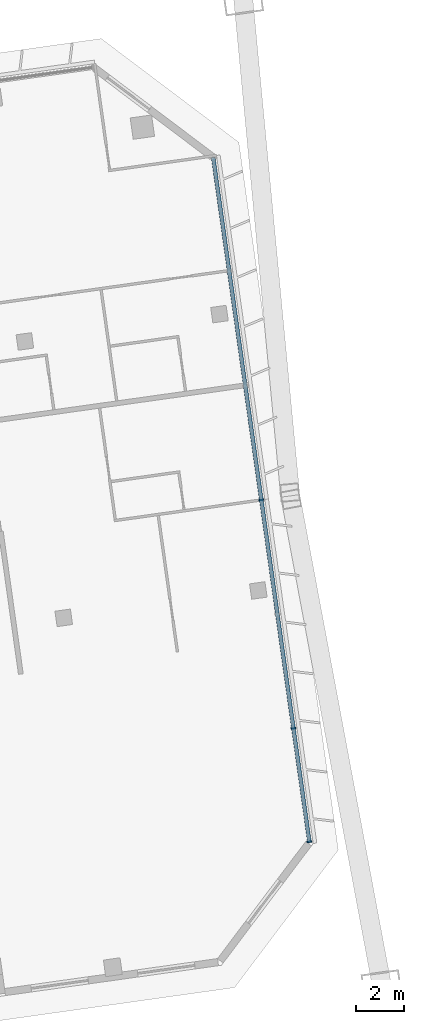
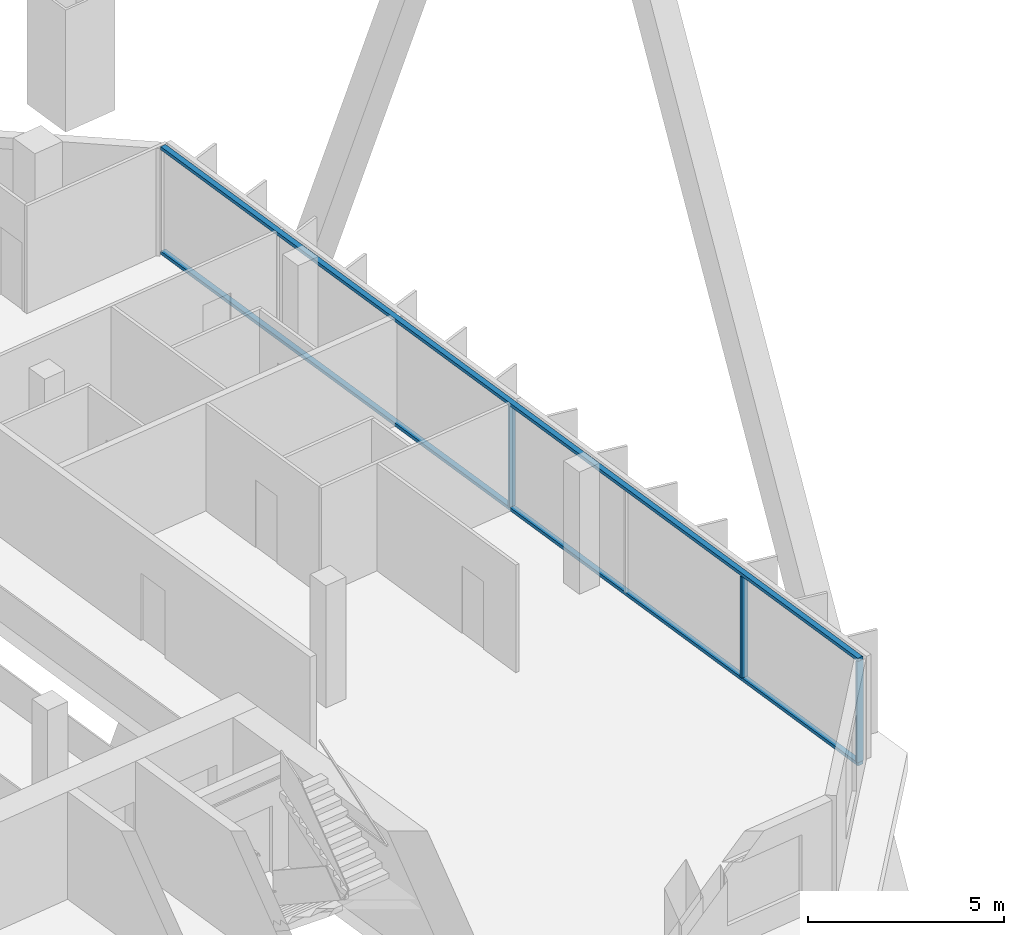
# One storey, part 14 of 33: 5 members, 1 element without a shape of its own.
"""IFC4 building model written with IfcOpenShell, lengths in metres."""

import ifcopenshell
import ifcopenshell.guid

model = None  # the IFC model being written
_history = None  # IfcOwnerHistory: only IFC2X3 demands one
_inside = {}  # id of a spatial element -> (the spatial element, [elements in it])
_under = {}  # id of a project, library or spatial element -> (it, [spatial elements below it])
_declared = {}  # id of a project -> (the project, [libraries it declares])
_typed = {}  # id of a type object -> (the type object, [elements of that type])
_made_of = {}  # id of a material, layer set ... -> (it, [elements and type objects made of it])


def new_model(schema):
    """Start an empty IFC model of exactly this schema.

    Asked for "IFC4X3", IfcOpenShell would pick the latest addendum, in which some entities
    have other attributes; the version numbers below select the first issue.
    IFC2X3 requires an IfcOwnerHistory on every rooted entity: one is made here for all.
    """
    global model, _history
    if schema == "IFC4X3":
        model = ifcopenshell.file(schema_version=(4, 3, 0, 0))
    else:
        model = ifcopenshell.file(schema=schema)
    _inside.clear()
    _under.clear()
    _declared.clear()
    _typed.clear()
    _made_of.clear()
    _history = None
    if model.schema == "IFC2X3":
        org = make("IfcOrganization", Name="unknown")
        user = make(
            "IfcPersonAndOrganization",
            ThePerson=make("IfcPerson", FamilyName="unknown"),
            TheOrganization=org,
        )
        app = make(
            "IfcApplication",
            ApplicationDeveloper=org,
            Version="unknown",
            ApplicationFullName="unknown",
            ApplicationIdentifier="unknown",
        )
        _history = make(
            "IfcOwnerHistory",
            OwningUser=user,
            OwningApplication=app,
            ChangeAction="ADDED",
            CreationDate=0,
        )
    return model


def make(cls, **values):
    """One entity of the class cls with the attributes given. An attribute that is None is left unset."""
    return model.create_entity(
        cls, **{name: value for name, value in values.items() if value is not None}
    )


def rooted(cls, **values):
    """An entity with a GlobalId (a new one), such as an element, a storey or a relation."""
    return make(cls, GlobalId=ifcopenshell.guid.new(), OwnerHistory=_history, **values)


def si_unit(unit_type, name, prefix=None):
    """IfcSIUnit, for example si_unit("LENGTHUNIT", "METRE", prefix="MILLI")."""
    return make("IfcSIUnit", UnitType=unit_type, Prefix=prefix, Name=name)


def assignment(units):
    """IfcUnitAssignment: the units of a project."""
    return None if units is None else make("IfcUnitAssignment", Units=units)


def point(xyz):
    """IfcCartesianPoint."""
    return None if xyz is None else make("IfcCartesianPoint", Coordinates=xyz)


def direction(xyz):
    """IfcDirection."""
    return None if xyz is None else make("IfcDirection", DirectionRatios=xyz)


def frame(location, z_axis=None, x_axis=None):
    """IfcAxis2Placement3D, a coordinate frame: its origin and axes. An axis left out is left unset."""
    return make(
        "IfcAxis2Placement3D",
        Location=point(location),
        Axis=direction(z_axis),
        RefDirection=direction(x_axis),
    )


def frame_2d(location, x_axis=None):
    """IfcAxis2Placement2D, a coordinate frame in the plane: its origin and x axis."""
    return make(
        "IfcAxis2Placement2D", Location=point(location), RefDirection=direction(x_axis)
    )


def origin():
    """The frame at (0, 0, 0) with its axes left unset."""
    return frame((0.0, 0.0, 0.0))


def origin_2d():
    """The frame at (0, 0) in the plane with its x axis left unset."""
    return frame_2d((0.0, 0.0))


def place(relative_to, where):
    """IfcLocalPlacement: puts the frame where relative to a parent placement (None: the world)."""
    return make(
        "IfcLocalPlacement", PlacementRelTo=relative_to, RelativePlacement=where
    )


def context(
    kind, dimensions, precision=None, world=None, true_north=None, identifier=None
):
    """IfcGeometricRepresentationContext, for example the 3D "Model" context."""
    return make(
        "IfcGeometricRepresentationContext",
        ContextIdentifier=identifier,
        ContextType=kind,
        CoordinateSpaceDimension=dimensions,
        Precision=precision,
        WorldCoordinateSystem=world,
        TrueNorth=true_north,
    )


def subcontext(parent, identifier, kind, view, scale=None):
    """IfcGeometricRepresentationSubContext, for example "Body" below "Model"."""
    return make(
        "IfcGeometricRepresentationSubContext",
        ContextIdentifier=identifier,
        ContextType=kind,
        ParentContext=parent,
        TargetScale=scale,
        TargetView=view,
    )


def project(units=None, contexts=None):
    """IfcProject with its units and contexts."""
    return rooted(
        "IfcProject",
        Name="project",
        RepresentationContexts=contexts,
        UnitsInContext=assignment(units),
    )


def spatial(cls, under=None, at=None, **own):
    """A site, building, storey or space (cls), placed at a placement, below another one or the project."""
    s = rooted(cls, ObjectPlacement=at, **own)
    if under is not None:
        _under.setdefault(under.id(), (under, []))[1].append(s)
    return s


def profile(cls, at=None, kind="AREA", **sizes):
    """A parametric profile (cls). Its sizes go by their IFC names, for example OverallWidth=200.0."""
    return make(cls, ProfileType=kind, Position=at, **sizes)


def rectangle(**sizes):
    """IfcRectangleProfileDef."""
    return profile("IfcRectangleProfileDef", **sizes)


def extrude(swept, where, along, depth):
    """IfcExtrudedAreaSolid: the profile swept, set in the frame where, extruded along a direction by depth."""
    return make(
        "IfcExtrudedAreaSolid",
        SweptArea=swept,
        Position=where,
        ExtrudedDirection=direction(along),
        Depth=depth,
    )


def shape(context_of_items, identifier, shape_type, items):
    """IfcShapeRepresentation: the items that make up one representation, for example the "Body"."""
    return make(
        "IfcShapeRepresentation",
        ContextOfItems=context_of_items,
        RepresentationIdentifier=identifier,
        RepresentationType=shape_type,
        Items=items,
    )


def material(Name=None, Category=None):
    """IfcMaterial."""
    return make("IfcMaterial", Name=Name, Category=Category)


def material_profile(
    of_material, cross_section, Name=None, Category=None, Priority=None
):
    """IfcMaterialProfile: a cross section and its material."""
    return make(
        "IfcMaterialProfile",
        Name=Name,
        Material=of_material,
        Profile=cross_section,
        Priority=Priority,
        Category=Category,
    )


def profile_set(profiles, Name=None, composite=None):
    """IfcMaterialProfileSet."""
    return make(
        "IfcMaterialProfileSet",
        Name=Name,
        MaterialProfiles=profiles,
        CompositeProfile=composite,
    )


def made_of(thing, what):
    """Note that an element or type object is made of a material, layer set ...; save() writes the relation."""
    if what is not None:
        _made_of.setdefault(what.id(), (what, []))[1].append(thing)
    return thing


def type_object(cls, material=None, **own):
    """A type object (cls), such as IfcWallType, which elements share."""
    return made_of(rooted(cls, **own), material)


def element(
    cls,
    number,
    at=None,
    inside=None,
    cuts=None,
    type_object=None,
    material=None,
    context=None,
    identifier="Body",
    shape_type=None,
    held_by="IfcProductDefinitionShape",
    body=None,
    shapes=None,
    **own,
):
    """One element of the class cls, such as IfcWall. Its Tag is "e" and its number.

    at: its placement. inside: the storey or other place that contains it. cuts: it is an
    opening in that element (IfcRelVoidsElement). A single representation is given by context,
    identifier, shape_type and body (its items); several are given by shapes. held_by: the class
    of the entity that holds the representations. save() writes the other relations.
    """
    e = rooted(cls, Tag="e%d" % number, ObjectPlacement=at, **own)
    if body is not None:
        shapes = [shape(context, identifier, shape_type, body)]
    if shapes is not None:
        e.Representation = make(held_by, Representations=shapes)
    if inside is not None:
        _inside.setdefault(inside.id(), (inside, []))[1].append(e)
    if cuts is not None:
        rooted(
            "IfcRelVoidsElement", RelatingBuildingElement=cuts, RelatedOpeningElement=e
        )
    if type_object is not None:
        _typed.setdefault(type_object.id(), (type_object, []))[1].append(e)
    return made_of(e, material)


def aggregate(whole, parts):
    """IfcRelAggregates: a whole, such as a stair, and the parts it consists of."""
    return rooted("IfcRelAggregates", RelatingObject=whole, RelatedObjects=parts)


def save(model, path):
    """Write the relations noted so far, then the file.

    IfcRelAggregates (storeys below a building ...), IfcRelContainedInSpatialStructure (elements
    in a storey), IfcRelDefinesByType, IfcRelAssociatesMaterial and IfcRelDeclares: one each for
    every whole, place, type object, material and project.
    """
    for whole, parts in _under.values():
        aggregate(whole, parts)
    for where, things in _inside.values():
        rooted(
            "IfcRelContainedInSpatialStructure",
            RelatedElements=things,
            RelatingStructure=where,
        )
    for kind, things in _typed.values():
        rooted("IfcRelDefinesByType", RelatedObjects=things, RelatingType=kind)
    for what, things in _made_of.values():
        rooted("IfcRelAssociatesMaterial", RelatedObjects=things, RelatingMaterial=what)
    for by, libraries in _declared.values():
        rooted("IfcRelDeclares", RelatingContext=by, RelatedDefinitions=libraries)
    model.write(path)


model = new_model("IFC4")

# Units and contexts
model_context = context("Model", 3, precision=1e-05, world=origin(), true_north=direction((0.0, 1.0)))
body_context = subcontext(model_context, "Body", "Model", "MODEL_VIEW")
ifc_project = project(units=[si_unit("LENGTHUNIT", "METRE"), si_unit("AREAUNIT", "SQUARE_METRE"), si_unit("VOLUMEUNIT", "CUBIC_METRE"), si_unit("PLANEANGLEUNIT", "RADIAN"), si_unit("MASSUNIT", "GRAM", prefix="KILO")], contexts=[model_context])

# Site, building, storey
site_placement = place(None, origin())
site = spatial("IfcSite", under=ifc_project, at=site_placement, CompositionType="ELEMENT")
building_placement = place(site_placement, origin())
building = spatial("IfcBuilding", under=site, at=building_placement, Name="Mirante Cascada Hotel Towers", CompositionType="ELEMENT")
storey_placement = place(building_placement, frame((0.0, 0.0, 121.5)))
storey = spatial("IfcBuildingStorey", under=building, at=storey_placement, Name="L27", CompositionType="ELEMENT", Elevation=121.5)

# Curtain wall, members
ifc_material_1 = material(Name="Aluminium mullion and transom frame with clear laminated glass", Category="aluminium")
curtain_wall_type = type_object("IfcCurtainWallType", Name="End ribbon curtain wall ECW2", PredefinedType="NOTDEFINED", material=ifc_material_1)
curtain_wall_placement = place(storey_placement, origin())
curtain_wall = element("IfcCurtainWall", 1, at=curtain_wall_placement, inside=storey, type_object=curtain_wall_type, Name="Outer end wall T2 L27", PredefinedType="NOTDEFINED")
ifc_material_2 = material(Name="Anodised aluminium extrusion", Category="aluminium")
ifc_material_profile_1 = material_profile(ifc_material_2, rectangle(XDim=0.2, YDim=0.065, at=origin_2d()), Name="ECW2 MULLION 65x200")
ifc_profile_set_1 = profile_set([ifc_material_profile_1], Name="Anodised aluminium extrusion")
member_type_1 = type_object("IfcMemberType", Name="ECW2 mullion 65x200", PredefinedType="MULLION", material=ifc_profile_set_1)
member_1_placement = place(storey_placement, frame((103.1556, -6.2656, 0.1), z_axis=(0.0, 0.0, 1.0), x_axis=(-0.9902681, -0.1391731, 0.0)))
member_1 = element("IfcMember", 2, at=member_1_placement, type_object=member_type_1, Name="ECW2 mullion 1", PredefinedType="MULLION", context=body_context, shape_type="SweptSolid", body=[
    extrude(rectangle(XDim=0.2, YDim=0.065, at=origin_2d()), origin(), (0.0, 0.0, 1.0), 3.15),
])
member_2_placement = place(storey_placement, frame((102.4903, -1.532, 0.1), z_axis=(0.0, 0.0, 1.0), x_axis=(-0.9902681, -0.1391731, 0.0)))
member_2 = element("IfcMember", 3, at=member_2_placement, type_object=member_type_1, Name="ECW2 mullion 2", PredefinedType="MULLION", context=body_context, shape_type="SweptSolid", body=[
    extrude(rectangle(XDim=0.2, YDim=0.065, at=origin_2d()), origin(), (0.0, 0.0, 1.0), 3.15),
])
member_3_placement = place(storey_placement, frame((101.1508, 7.9996, 0.1), z_axis=(0.0, 0.0, 1.0), x_axis=(-0.9902681, -0.1391731, 0.0)))
member_3 = element("IfcMember", 4, at=member_3_placement, type_object=member_type_1, Name="ECW2 mullion 4", PredefinedType="MULLION", context=body_context, shape_type="SweptSolid", body=[
    extrude(rectangle(XDim=0.2, YDim=0.065, at=origin_2d()), origin(), (0.0, 0.0, 1.0), 3.15),
])
ifc_material_3 = material(Name="Anodised aluminium extrusion", Category="aluminium")
ifc_material_profile_2 = material_profile(ifc_material_3, rectangle(XDim=0.16, YDim=0.1, at=origin_2d()), Name="ECW2 TRANSOM 100x160")
ifc_profile_set_2 = profile_set([ifc_material_profile_2], Name="Anodised aluminium extrusion")
member_type_2 = type_object("IfcMemberType", Name="ECW2 transom 100x160", PredefinedType="USERDEFINED", material=ifc_profile_set_2)
member_4_placement = place(storey_placement, frame((103.1601, -6.2978, 0.05), z_axis=(-0.1391723, 0.9902682, 0.0), x_axis=(-0.9902682, -0.1391723, 0.0)))
member_4 = element("IfcMember", 5, at=member_4_placement, type_object=member_type_2, Name="ECW2 sill transom", ObjectType="TRANSOM", PredefinedType="USERDEFINED", context=body_context, shape_type="SweptSolid", body=[
    extrude(rectangle(XDim=0.16, YDim=0.1, at=origin_2d()), origin(), (0.0, 0.0, 1.0), 28.8757),
])
member_5_placement = place(storey_placement, frame((103.1601, -6.2978, 3.3), z_axis=(-0.1391723, 0.9902682, 0.0), x_axis=(-0.9902682, -0.1391723, 0.0)))
member_5 = element("IfcMember", 6, at=member_5_placement, type_object=member_type_2, Name="ECW2 head transom", ObjectType="TRANSOM", PredefinedType="USERDEFINED", context=body_context, shape_type="SweptSolid", body=[
    extrude(rectangle(XDim=0.16, YDim=0.1, at=origin_2d()), origin(), (0.0, 0.0, 1.0), 28.8757),
])
aggregate(curtain_wall, [member_4, member_5, member_1, member_2, member_3])

save(model, "model.ifc")
